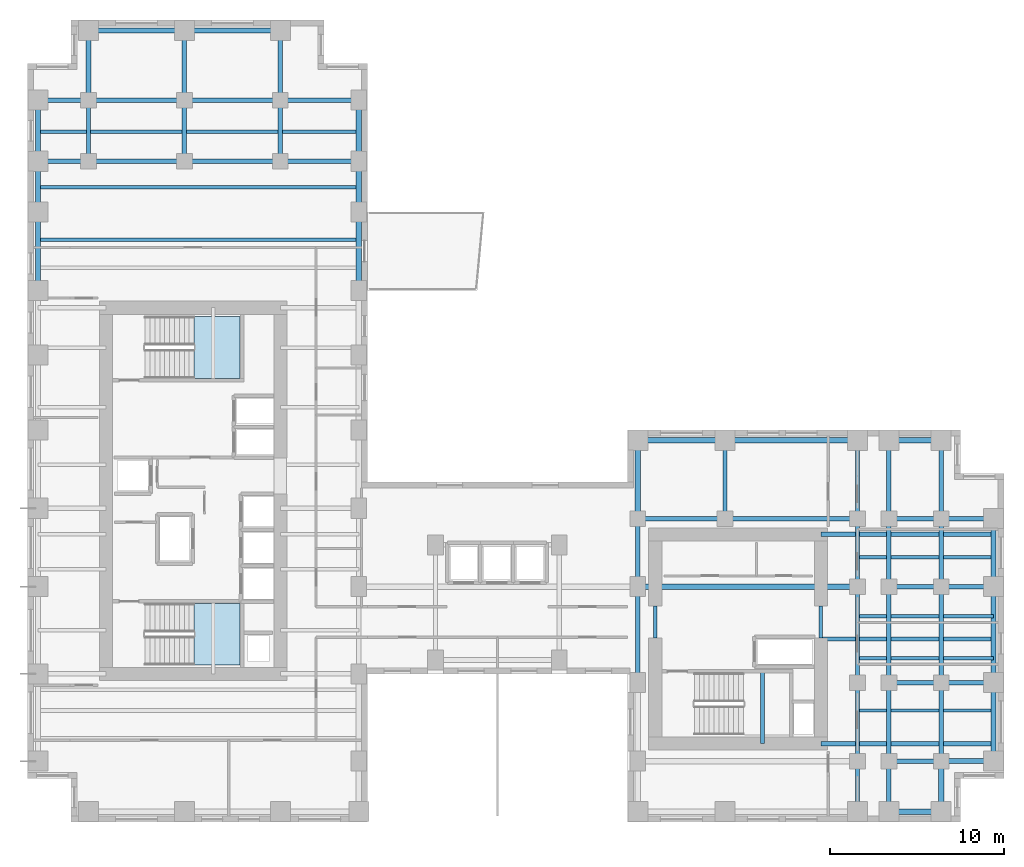
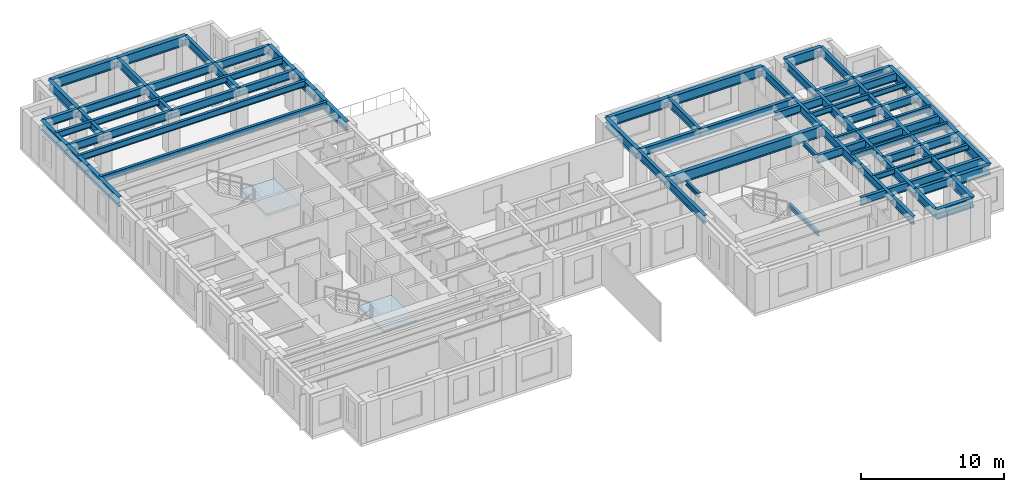
# One storey, part 2 of 11: 72 beams, 2 slabs, 2 elements without a shape of their own.
"""IFC4 building model written with IfcOpenShell, lengths in metres."""

from ifc_helpers import new_model, si_unit, direction, frame, origin, origin_2d, place, context, subcontext, project, spatial, polyline, i_section, outline, extrude, source, transform, mapped, material, layer, layer_set, material_profile, profile_set, type_object, element, aggregate, save


model = new_model("IFC4")

# Units and contexts
model_context = context("Model", 3, precision=1e-05, world=origin(), true_north=direction((0.0, 1.0)))
body_context = subcontext(model_context, "Body", "Model", "MODEL_VIEW")
ifc_project = project(units=[si_unit("LENGTHUNIT", "METRE"), si_unit("AREAUNIT", "SQUARE_METRE"), si_unit("VOLUMEUNIT", "CUBIC_METRE"), si_unit("PLANEANGLEUNIT", "RADIAN"), si_unit("MASSUNIT", "GRAM", prefix="KILO")], contexts=[model_context])

# Site, building, storey
site_placement = place(None, origin())
site = spatial("IfcSite", under=ifc_project, at=site_placement, CompositionType="ELEMENT")
building_placement = place(site_placement, origin())
building = spatial("IfcBuilding", under=site, at=building_placement, Name="Kharzan Plaza Tower", CompositionType="ELEMENT")
storey_placement = place(building_placement, frame((0.0, 0.0, 99.0)))
storey = spatial("IfcBuildingStorey", under=building, at=storey_placement, Name="L26", CompositionType="ELEMENT", Elevation=99.0)

# Beams
ifc_material_1 = material(Name="Steel S355", Category="steel")
ifc_material_profile_1 = material_profile(ifc_material_1, i_section(OverallWidth=0.205078125, OverallDepth=0.35400390625, WebThickness=0.009521484375, FlangeThickness=0.016845703125, at=origin_2d()), Name="W360x79")
ifc_profile_set_1 = profile_set([ifc_material_profile_1], Name="Steel S355")
beam_type_1 = type_object("IfcBeamType", Name="BM-LNT360", PredefinedType="LINTEL", material=ifc_profile_set_1)
shared_shape_1 = source(origin(), body_context, "Body", "SweptSolid", [
    extrude(i_section(OverallWidth=0.205078125, OverallDepth=0.35400390625, WebThickness=0.009521484375, FlangeThickness=0.016845703125, at=origin_2d()), origin(), (0.0, 0.0, 1.0), 1.849853515625),
])
for number, where, z_axis, x_axis, name in (
    (1, (45.5, 10.550048828125, 3.202880859375), (0.0, 1.0, 0.0), (-1.0, 0.0, 0.0), "L26 CORE-B coupling lintel LN1-WE"),
    (2, (36.0, 10.550048828125, 3.202880859375), (0.0, 1.0, 0.0), (-1.0, 0.0, 0.0), "L26 CORE-B coupling lintel LN1-WW"),
):
    element("IfcBeam", number, at=place(storey_placement, frame(where, z_axis=z_axis, x_axis=x_axis)), inside=storey, type_object=beam_type_1, Name=name, PredefinedType="LINTEL", context=body_context, shape_type="MappedRepresentation", body=[
        mapped(shared_shape_1, transform((0.0, 0.0, 0.0), x_axis=(1.0, 0.0, 0.0), y_axis=(0.0, 1.0, 0.0), z_axis=(0.0, 0.0, 1.0))),
    ])
shared_shape_2 = source(origin(), body_context, "Body", "SweptSolid", [
    extrude(i_section(OverallWidth=0.205078125, OverallDepth=0.35400390625, WebThickness=0.009521484375, FlangeThickness=0.016845703125, at=origin_2d()), origin(), (0.0, 0.0, 1.0), 4.155029296875),
])
beam_1_placement = place(storey_placement, frame((42.14990234375, 4.5, 1.423095703125), z_axis=(0.0, 1.0, 0.0), x_axis=(-1.0, 0.0, 0.0)))
element("IfcBeam", 3, at=beam_1_placement, inside=storey, type_object=beam_type_1, Name="L26 Stair ST-3 Half-Landing Beam", PredefinedType="LINTEL", context=body_context, shape_type="MappedRepresentation", body=[
    mapped(shared_shape_2, transform((0.0, 0.0, 0.0), x_axis=(1.0, 0.0, 0.0), y_axis=(0.0, 1.0, 0.0), z_axis=(0.0, 0.0, 1.0))),
])
ifc_material_profile_2 = material_profile(ifc_material_1, i_section(OverallWidth=0.304931640625, OverallDepth=0.9189453125, WebThickness=0.017333984375, FlangeThickness=0.02783203125, at=origin_2d()), Name="W920x253")
ifc_profile_set_2 = profile_set([ifc_material_profile_2], Name="Steel S355")
beam_type_2 = type_object("IfcBeamType", Name="BM-FG920B", PredefinedType="BEAM", material=ifc_profile_set_2)
shared_shape_3 = source(origin(), body_context, "Body", "SweptSolid", [
    extrude(i_section(OverallWidth=0.304931640625, OverallDepth=0.9189453125, WebThickness=0.017333984375, FlangeThickness=0.02783203125, at=origin_2d()), origin(), (0.0, 0.0, 1.0), 12.60009765625),
])
beam_2_placement = place(storey_placement, frame((35.0, 13.5, 2.92041015625), z_axis=(1.0, 0.0, 0.0), x_axis=(0.0, 1.0, 0.0)))
element("IfcBeam", 4, at=beam_2_placement, inside=storey, type_object=beam_type_2, Name="L26 Primary Floor Girder", PredefinedType="BEAM", context=body_context, shape_type="MappedRepresentation", body=[
    mapped(shared_shape_3, transform((0.0, 0.0, 0.0), x_axis=(1.0, 0.0, 0.0), y_axis=(0.0, 1.0, 0.0), z_axis=(0.0, 0.0, 1.0))),
])
ifc_material_profile_3 = material_profile(ifc_material_1, i_section(OverallWidth=0.2099609375, OverallDepth=0.537109375, WebThickness=0.010986328125, FlangeThickness=0.017333984375, at=origin_2d()), Name="W530x101")
ifc_profile_set_3 = profile_set([ifc_material_profile_3], Name="Steel S355")
beam_type_3 = type_object("IfcBeamType", Name="BM-JST530B", PredefinedType="JOIST", material=ifc_profile_set_3)
shared_shape_4 = source(origin(), body_context, "Body", "SweptSolid", [
    extrude(i_section(OverallWidth=0.2099609375, OverallDepth=0.537109375, WebThickness=0.010986328125, FlangeThickness=0.017333984375, at=origin_2d()), origin(), (0.0, 0.0, 1.0), 18.39990234375),
])
for number, where, z_axis, x_axis, name in (
    (5, (0.60009765625, 33.39990234375, 3.111572265625), (1.0, 0.0, 0.0), (0.0, 1.0, 0.0), "L26 Wing A Composite Joist 05"),
    (6, (0.60009765625, 36.39990234375, 3.111572265625), (1.0, 0.0, 0.0), (0.0, 1.0, 0.0), "L26 Wing A Composite Joist 06"),
    (7, (0.60009765625, 39.60009765625, 3.111572265625), (1.0, 0.0, 0.0), (0.0, 1.0, 0.0), "L26 Wing A Composite Joist 07"),
):
    element("IfcBeam", number, at=place(storey_placement, frame(where, z_axis=z_axis, x_axis=x_axis)), inside=storey, type_object=beam_type_3, Name=name, PredefinedType="JOIST", context=body_context, shape_type="MappedRepresentation", body=[
        mapped(shared_shape_4, transform((0.0, 0.0, 0.0), x_axis=(1.0, 0.0, 0.0), y_axis=(0.0, 1.0, 0.0), z_axis=(0.0, 0.0, 1.0))),
    ])
ifc_material_profile_4 = material_profile(ifc_material_1, i_section(OverallWidth=0.25390625, OverallDepth=0.68798828125, WebThickness=0.01318359375, FlangeThickness=0.02099609375, at=origin_2d()), Name="W690x152")
ifc_profile_set_4 = profile_set([ifc_material_profile_4], Name="Steel S355")
beam_type_4 = type_object("IfcBeamType", Name="BM-FG690B", PredefinedType="BEAM", material=ifc_profile_set_4)
shared_shape_5 = source(origin(), body_context, "Body", "SweptSolid", [
    extrude(i_section(OverallWidth=0.25390625, OverallDepth=0.68798828125, WebThickness=0.01318359375, FlangeThickness=0.02099609375, at=origin_2d()), origin(), (0.0, 0.0, 1.0), 4.5),
])
for number, where, z_axis, x_axis, name in (
    (8, (40.0, 17.39990234375, 3.035888671875), (0.0, 1.0, 0.0), (-1.0, 0.0, 0.0), "L26 Interior Frame Girder"),
    (9, (47.60009765625, 3.5, 3.035888671875), (0.0, 1.0, 0.0), (-1.0, 0.0, 0.0), "L26 Interior Frame Girder"),
    (10, (47.60009765625, 17.39990234375, 3.035888671875), (0.0, 1.0, 0.0), (-1.0, 0.0, 0.0), "L26 Interior Frame Girder"),
    (11, (49.39990234375, 3.5, 3.035888671875), (0.0, 1.0, 0.0), (-1.0, 0.0, 0.0), "L26 Interior Frame Girder"),
    (12, (49.39990234375, 17.39990234375, 3.035888671875), (0.0, 1.0, 0.0), (-1.0, 0.0, 0.0), "L26 Interior Frame Girder"),
    (13, (52.39990234375, 3.5, 3.035888671875), (0.0, 1.0, 0.0), (-1.0, 0.0, 0.0), "L26 Interior Frame Girder"),
    (14, (52.39990234375, 17.39990234375, 3.035888671875), (0.0, 1.0, 0.0), (-1.0, 0.0, 0.0), "L26 Interior Frame Girder"),
    (15, (14.5, 37.89990234375, 3.035888671875), (1.0, 0.0, 0.0), (0.0, 1.0, 0.0), "L26 Primary Floor Girder"),
    (16, (14.5, 41.39990234375, 3.035888671875), (1.0, 0.0, 0.0), (0.0, 1.0, 0.0), "L26 Primary Floor Girder"),
):
    element("IfcBeam", number, at=place(storey_placement, frame(where, z_axis=z_axis, x_axis=x_axis)), inside=storey, type_object=beam_type_4, Name=name, PredefinedType="BEAM", context=body_context, shape_type="MappedRepresentation", body=[
        mapped(shared_shape_5, transform((0.0, 0.0, 0.0), x_axis=(1.0, 0.0, 0.0), y_axis=(0.0, 1.0, 0.0), z_axis=(0.0, 0.0, 1.0))),
    ])
shared_shape_6 = source(origin(), body_context, "Body", "SweptSolid", [
    extrude(i_section(OverallWidth=0.25390625, OverallDepth=0.68798828125, WebThickness=0.01318359375, FlangeThickness=0.02099609375, at=origin_2d()), origin(), (0.0, 0.0, 1.0), 3.89990234375),
])
for number, where, z_axis, x_axis, name in (
    (17, (35.0, 13.5, 3.035888671875), (0.0, 1.0, 0.0), (-1.0, 0.0, 0.0), "L26 Interior Frame Girder"),
    (18, (47.60009765625, 13.5, 3.035888671875), (0.0, 1.0, 0.0), (-1.0, 0.0, 0.0), "L26 Interior Frame Girder"),
    (19, (49.39990234375, 13.5, 3.035888671875), (0.0, 1.0, 0.0), (-1.0, 0.0, 0.0), "L26 Interior Frame Girder"),
    (20, (52.39990234375, 13.5, 3.035888671875), (0.0, 1.0, 0.0), (-1.0, 0.0, 0.0), "L26 Interior Frame Girder"),
):
    element("IfcBeam", number, at=place(storey_placement, frame(where, z_axis=z_axis, x_axis=x_axis)), inside=storey, type_object=beam_type_4, Name=name, PredefinedType="BEAM", context=body_context, shape_type="MappedRepresentation", body=[
        mapped(shared_shape_6, transform((0.0, 0.0, 0.0), x_axis=(1.0, 0.0, 0.0), y_axis=(0.0, 1.0, 0.0), z_axis=(0.0, 0.0, 1.0))),
    ])
shared_shape_7 = source(origin(), body_context, "Body", "SweptSolid", [
    extrude(i_section(OverallWidth=0.25390625, OverallDepth=0.68798828125, WebThickness=0.01318359375, FlangeThickness=0.02099609375, at=origin_2d()), origin(), (0.0, 0.0, 1.0), 9.89990234375),
])
for number, where, z_axis, x_axis, name in (
    (21, (45.5, 4.5, 3.035888671875), (1.0, 0.0, 0.0), (0.0, 1.0, 0.0), "L26 Core-B East Floor Girder 1"),
    (22, (45.5, 10.5, 3.035888671875), (1.0, 0.0, 0.0), (0.0, 1.0, 0.0), "L26 Core-B East Floor Girder 2"),
    (23, (45.5, 16.5, 3.035888671875), (1.0, 0.0, 0.0), (0.0, 1.0, 0.0), "L26 Core-B East Floor Girder 3"),
):
    element("IfcBeam", number, at=place(storey_placement, frame(where, z_axis=z_axis, x_axis=x_axis)), inside=storey, type_object=beam_type_4, Name=name, PredefinedType="BEAM", context=body_context, shape_type="MappedRepresentation", body=[
        mapped(shared_shape_7, transform((0.0, 0.0, 0.0), x_axis=(1.0, 0.0, 0.0), y_axis=(0.0, 1.0, 0.0), z_axis=(0.0, 0.0, 1.0))),
    ])
shared_shape_8 = source(origin(), body_context, "Body", "SweptSolid", [
    extrude(i_section(OverallWidth=0.25390625, OverallDepth=0.68798828125, WebThickness=0.01318359375, FlangeThickness=0.02099609375, at=origin_2d()), origin(), (0.0, 0.0, 1.0), 3.5),
])
for number, where, z_axis, x_axis, name in (
    (24, (3.5, 37.89990234375, 3.035888671875), (0.0, 1.0, 0.0), (-1.0, 0.0, 0.0), "L26 Interior Frame Girder"),
    (25, (9.0, 37.89990234375, 3.035888671875), (0.0, 1.0, 0.0), (-1.0, 0.0, 0.0), "L26 Interior Frame Girder"),
    (26, (14.5, 37.89990234375, 3.035888671875), (0.0, 1.0, 0.0), (-1.0, 0.0, 0.0), "L26 Interior Frame Girder"),
):
    element("IfcBeam", number, at=place(storey_placement, frame(where, z_axis=z_axis, x_axis=x_axis)), inside=storey, type_object=beam_type_4, Name=name, PredefinedType="BEAM", context=body_context, shape_type="MappedRepresentation", body=[
        mapped(shared_shape_8, transform((0.0, 0.0, 0.0), x_axis=(1.0, 0.0, 0.0), y_axis=(0.0, 1.0, 0.0), z_axis=(0.0, 0.0, 1.0))),
    ])
shared_shape_9 = source(origin(), body_context, "Body", "SweptSolid", [
    extrude(i_section(OverallWidth=0.25390625, OverallDepth=0.68798828125, WebThickness=0.01318359375, FlangeThickness=0.02099609375, at=origin_2d()), origin(), (0.0, 0.0, 1.0), 4.0),
])
for number, where, z_axis, x_axis, name in (
    (27, (9.0, 41.39990234375, 3.035888671875), (0.0, 1.0, 0.0), (-1.0, 0.0, 0.0), "L26 Interior Frame Girder"),
    (28, (14.5, 41.39990234375, 3.035888671875), (0.0, 1.0, 0.0), (-1.0, 0.0, 0.0), "L26 Interior Frame Girder"),
):
    element("IfcBeam", number, at=place(storey_placement, frame(where, z_axis=z_axis, x_axis=x_axis)), inside=storey, type_object=beam_type_4, Name=name, PredefinedType="BEAM", context=body_context, shape_type="MappedRepresentation", body=[
        mapped(shared_shape_9, transform((0.0, 0.0, 0.0), x_axis=(1.0, 0.0, 0.0), y_axis=(0.0, 1.0, 0.0), z_axis=(0.0, 0.0, 1.0))),
    ])
shared_shape_10 = source(origin(), body_context, "Body", "SweptSolid", [
    extrude(i_section(OverallWidth=0.25390625, OverallDepth=0.68798828125, WebThickness=0.01318359375, FlangeThickness=0.02099609375, at=origin_2d()), origin(), (0.0, 0.0, 1.0), 5.0),
])
beam_3_placement = place(storey_placement, frame((35.0, 17.39990234375, 3.035888671875), z_axis=(1.0, 0.0, 0.0), x_axis=(0.0, 1.0, 0.0)))
element("IfcBeam", 29, at=beam_3_placement, inside=storey, type_object=beam_type_4, Name="L26 Primary Floor Girder", PredefinedType="BEAM", context=body_context, shape_type="MappedRepresentation", body=[
    mapped(shared_shape_10, transform((0.0, 0.0, 0.0), x_axis=(1.0, 0.0, 0.0), y_axis=(0.0, 1.0, 0.0), z_axis=(0.0, 0.0, 1.0))),
])
shared_shape_11 = source(origin(), body_context, "Body", "SweptSolid", [
    extrude(i_section(OverallWidth=0.25390625, OverallDepth=0.68798828125, WebThickness=0.01318359375, FlangeThickness=0.02099609375, at=origin_2d()), origin(), (0.0, 0.0, 1.0), 5.5),
])
for number, where, z_axis, x_axis, name in (
    (30, (35.0, 8.0, 3.035888671875), (0.0, 1.0, 0.0), (-1.0, 0.0, 0.0), "L26 Interior Frame Girder"),
    (31, (47.60009765625, 8.0, 3.035888671875), (0.0, 1.0, 0.0), (-1.0, 0.0, 0.0), "L26 Interior Frame Girder"),
    (32, (49.39990234375, 8.0, 3.035888671875), (0.0, 1.0, 0.0), (-1.0, 0.0, 0.0), "L26 Interior Frame Girder"),
    (33, (52.39990234375, 8.0, 3.035888671875), (0.0, 1.0, 0.0), (-1.0, 0.0, 0.0), "L26 Interior Frame Girder"),
    (34, (3.5, 37.89990234375, 3.035888671875), (1.0, 0.0, 0.0), (0.0, 1.0, 0.0), "L26 Primary Floor Girder"),
    (35, (9.0, 37.89990234375, 3.035888671875), (1.0, 0.0, 0.0), (0.0, 1.0, 0.0), "L26 Primary Floor Girder"),
    (36, (3.5, 41.39990234375, 3.035888671875), (1.0, 0.0, 0.0), (0.0, 1.0, 0.0), "L26 Primary Floor Girder"),
    (37, (9.0, 41.39990234375, 3.035888671875), (1.0, 0.0, 0.0), (0.0, 1.0, 0.0), "L26 Primary Floor Girder"),
):
    element("IfcBeam", number, at=place(storey_placement, frame(where, z_axis=z_axis, x_axis=x_axis)), inside=storey, type_object=beam_type_4, Name=name, PredefinedType="BEAM", context=body_context, shape_type="MappedRepresentation", body=[
        mapped(shared_shape_11, transform((0.0, 0.0, 0.0), x_axis=(1.0, 0.0, 0.0), y_axis=(0.0, 1.0, 0.0), z_axis=(0.0, 0.0, 1.0))),
    ])
shared_shape_12 = source(origin(), body_context, "Body", "SweptSolid", [
    extrude(i_section(OverallWidth=0.25390625, OverallDepth=0.68798828125, WebThickness=0.01318359375, FlangeThickness=0.02099609375, at=origin_2d()), origin(), (0.0, 0.0, 1.0), 2.89990234375),
])
for number, where, z_axis, x_axis, name in (
    (38, (47.60009765625, 0.60009765625, 3.035888671875), (0.0, 1.0, 0.0), (-1.0, 0.0, 0.0), "L26 Interior Frame Girder"),
    (39, (49.39990234375, 0.60009765625, 3.035888671875), (0.0, 1.0, 0.0), (-1.0, 0.0, 0.0), "L26 Interior Frame Girder"),
    (40, (0.60009765625, 37.89990234375, 3.035888671875), (1.0, 0.0, 0.0), (0.0, 1.0, 0.0), "L26 Primary Floor Girder"),
    (41, (0.60009765625, 41.39990234375, 3.035888671875), (1.0, 0.0, 0.0), (0.0, 1.0, 0.0), "L26 Primary Floor Girder"),
):
    element("IfcBeam", number, at=place(storey_placement, frame(where, z_axis=z_axis, x_axis=x_axis)), inside=storey, type_object=beam_type_4, Name=name, PredefinedType="BEAM", context=body_context, shape_type="MappedRepresentation", body=[
        mapped(shared_shape_12, transform((0.0, 0.0, 0.0), x_axis=(1.0, 0.0, 0.0), y_axis=(0.0, 1.0, 0.0), z_axis=(0.0, 0.0, 1.0))),
    ])
shared_shape_13 = source(origin(), body_context, "Body", "SweptSolid", [
    extrude(i_section(OverallWidth=0.25390625, OverallDepth=0.68798828125, WebThickness=0.01318359375, FlangeThickness=0.02099609375, at=origin_2d()), origin(), (0.0, 0.0, 1.0), 3.0),
])
for number, where, z_axis, x_axis, name in (
    (42, (49.39990234375, 3.5, 3.035888671875), (1.0, 0.0, 0.0), (0.0, 1.0, 0.0), "L26 Primary Floor Girder"),
    (43, (49.39990234375, 8.0, 3.035888671875), (1.0, 0.0, 0.0), (0.0, 1.0, 0.0), "L26 Primary Floor Girder"),
    (44, (52.39990234375, 8.0, 3.035888671875), (1.0, 0.0, 0.0), (0.0, 1.0, 0.0), "L26 Primary Floor Girder"),
    (45, (49.39990234375, 13.5, 3.035888671875), (1.0, 0.0, 0.0), (0.0, 1.0, 0.0), "L26 Primary Floor Girder"),
    (46, (52.39990234375, 13.5, 3.035888671875), (1.0, 0.0, 0.0), (0.0, 1.0, 0.0), "L26 Primary Floor Girder"),
    (47, (49.39990234375, 17.39990234375, 3.035888671875), (1.0, 0.0, 0.0), (0.0, 1.0, 0.0), "L26 Primary Floor Girder"),
    (48, (52.39990234375, 17.39990234375, 3.035888671875), (1.0, 0.0, 0.0), (0.0, 1.0, 0.0), "L26 Primary Floor Girder"),
):
    element("IfcBeam", number, at=place(storey_placement, frame(where, z_axis=z_axis, x_axis=x_axis)), inside=storey, type_object=beam_type_4, Name=name, PredefinedType="BEAM", context=body_context, shape_type="MappedRepresentation", body=[
        mapped(shared_shape_13, transform((0.0, 0.0, 0.0), x_axis=(1.0, 0.0, 0.0), y_axis=(0.0, 1.0, 0.0), z_axis=(0.0, 0.0, 1.0))),
    ])
shared_shape_14 = source(origin(), body_context, "Body", "SweptSolid", [
    extrude(i_section(OverallWidth=0.25390625, OverallDepth=0.68798828125, WebThickness=0.01318359375, FlangeThickness=0.02099609375, at=origin_2d()), origin(), (0.0, 0.0, 1.0), 7.60009765625),
])
beam_4_placement = place(storey_placement, frame((40.0, 17.39990234375, 3.035888671875), z_axis=(1.0, 0.0, 0.0), x_axis=(0.0, 1.0, 0.0)))
element("IfcBeam", 49, at=beam_4_placement, inside=storey, type_object=beam_type_4, Name="L26 Primary Floor Girder", PredefinedType="BEAM", context=body_context, shape_type="MappedRepresentation", body=[
    mapped(shared_shape_14, transform((0.0, 0.0, 0.0), x_axis=(1.0, 0.0, 0.0), y_axis=(0.0, 1.0, 0.0), z_axis=(0.0, 0.0, 1.0))),
])
ifc_material_profile_5 = material_profile(ifc_material_1, i_section(OverallWidth=0.194091796875, OverallDepth=0.468994140625, WebThickness=0.011474609375, FlangeThickness=0.0205078125, at=origin_2d()), Name="W460x106")
ifc_profile_set_5 = profile_set([ifc_material_profile_5], Name="Steel S355")
beam_type_5 = type_object("IfcBeamType", Name="BM-JST460", PredefinedType="JOIST", material=ifc_profile_set_5)
shared_shape_15 = source(origin(), body_context, "Body", "SweptSolid", [
    extrude(i_section(OverallWidth=0.194091796875, OverallDepth=0.468994140625, WebThickness=0.011474609375, FlangeThickness=0.0205078125, at=origin_2d()), origin(), (0.0, 0.0, 1.0), 7.7998046875),
])
for number, where, z_axis, x_axis, name in (
    (50, (47.60009765625, 6.39990234375, 3.1455078125), (1.0, 0.0, 0.0), (0.0, 1.0, 0.0), "L26 Wing B Composite Joist 02"),
    (51, (47.60009765625, 9.39990234375, 3.1455078125), (1.0, 0.0, 0.0), (0.0, 1.0, 0.0), "L26 Wing B Composite Joist 03"),
    (52, (47.60009765625, 11.800048828125, 3.1455078125), (1.0, 0.0, 0.0), (0.0, 1.0, 0.0), "L26 Wing B Composite Joist 04"),
    (53, (47.60009765625, 15.199951171875, 3.1455078125), (1.0, 0.0, 0.0), (0.0, 1.0, 0.0), "L26 Wing B Composite Joist 05"),
):
    element("IfcBeam", number, at=place(storey_placement, frame(where, z_axis=z_axis, x_axis=x_axis)), inside=storey, type_object=beam_type_5, Name=name, PredefinedType="JOIST", context=body_context, shape_type="MappedRepresentation", body=[
        mapped(shared_shape_15, transform((0.0, 0.0, 0.0), x_axis=(1.0, 0.0, 0.0), y_axis=(0.0, 1.0, 0.0), z_axis=(0.0, 0.0, 1.0))),
    ])
ifc_material_profile_6 = material_profile(ifc_material_1, i_section(OverallWidth=0.299072265625, OverallDepth=0.845947265625, WebThickness=0.015380859375, FlangeThickness=0.0244140625, at=origin_2d()), Name="W840x210")
ifc_profile_set_6 = profile_set([ifc_material_profile_6], Name="Steel S355")
beam_type_6 = type_object("IfcBeamType", Name="BM-SP840B", PredefinedType="SPANDREL", material=ifc_profile_set_6)
shared_shape_16 = source(origin(), body_context, "Body", "SweptSolid", [
    extrude(i_section(OverallWidth=0.299072265625, OverallDepth=0.845947265625, WebThickness=0.015380859375, FlangeThickness=0.0244140625, at=origin_2d()), origin(), (0.0, 0.0, 1.0), 5.0),
])
beam_5_placement = place(storey_placement, frame((35.0, 21.89990234375, 2.95703125), z_axis=(1.0, 0.0, 0.0), x_axis=(0.0, 1.0, 0.0)))
element("IfcBeam", 54, at=beam_5_placement, inside=storey, type_object=beam_type_6, Name="L26 Perimeter Tube Spandrel", PredefinedType="SPANDREL", context=body_context, shape_type="MappedRepresentation", body=[
    mapped(shared_shape_16, transform((0.0, 0.0, 0.0), x_axis=(1.0, 0.0, 0.0), y_axis=(0.0, 1.0, 0.0), z_axis=(0.0, 0.0, 1.0))),
])
shared_shape_17 = source(origin(), body_context, "Body", "SweptSolid", [
    extrude(i_section(OverallWidth=0.299072265625, OverallDepth=0.845947265625, WebThickness=0.015380859375, FlangeThickness=0.0244140625, at=origin_2d()), origin(), (0.0, 0.0, 1.0), 4.5),
])
for number, where, z_axis, x_axis, name in (
    (55, (0.60009765625, 30.5, 2.95703125), (0.0, 1.0, 0.0), (-1.0, 0.0, 0.0), "L26 Perimeter Tube Spandrel"),
    (56, (19.0, 30.5, 2.95703125), (0.0, 1.0, 0.0), (-1.0, 0.0, 0.0), "L26 Perimeter Tube Spandrel"),
    (57, (35.0, 17.39990234375, 2.95703125), (0.0, 1.0, 0.0), (-1.0, 0.0, 0.0), "L26 Perimeter Tube Spandrel"),
    (58, (55.39990234375, 3.5, 2.95703125), (0.0, 1.0, 0.0), (-1.0, 0.0, 0.0), "L26 Perimeter Tube Spandrel"),
):
    element("IfcBeam", number, at=place(storey_placement, frame(where, z_axis=z_axis, x_axis=x_axis)), inside=storey, type_object=beam_type_6, Name=name, PredefinedType="SPANDREL", context=body_context, shape_type="MappedRepresentation", body=[
        mapped(shared_shape_17, transform((0.0, 0.0, 0.0), x_axis=(1.0, 0.0, 0.0), y_axis=(0.0, 1.0, 0.0), z_axis=(0.0, 0.0, 1.0))),
    ])
shared_shape_18 = source(origin(), body_context, "Body", "SweptSolid", [
    extrude(i_section(OverallWidth=0.299072265625, OverallDepth=0.845947265625, WebThickness=0.015380859375, FlangeThickness=0.0244140625, at=origin_2d()), origin(), (0.0, 0.0, 1.0), 2.89990234375),
])
for number, where, z_axis, x_axis, name in (
    (59, (0.60009765625, 35.0, 2.95703125), (0.0, 1.0, 0.0), (-1.0, 0.0, 0.0), "L26 Perimeter Tube Spandrel"),
    (60, (19.0, 35.0, 2.95703125), (0.0, 1.0, 0.0), (-1.0, 0.0, 0.0), "L26 Perimeter Tube Spandrel"),
    (61, (52.39990234375, 0.60009765625, 2.95703125), (0.0, 1.0, 0.0), (-1.0, 0.0, 0.0), "L26 Perimeter Tube Spandrel"),
):
    element("IfcBeam", number, at=place(storey_placement, frame(where, z_axis=z_axis, x_axis=x_axis)), inside=storey, type_object=beam_type_6, Name=name, PredefinedType="SPANDREL", context=body_context, shape_type="MappedRepresentation", body=[
        mapped(shared_shape_18, transform((0.0, 0.0, 0.0), x_axis=(1.0, 0.0, 0.0), y_axis=(0.0, 1.0, 0.0), z_axis=(0.0, 0.0, 1.0))),
    ])
shared_shape_19 = source(origin(), body_context, "Body", "SweptSolid", [
    extrude(i_section(OverallWidth=0.299072265625, OverallDepth=0.845947265625, WebThickness=0.015380859375, FlangeThickness=0.0244140625, at=origin_2d()), origin(), (0.0, 0.0, 1.0), 3.5),
])
for number, where, z_axis, x_axis, name in (
    (62, (0.60009765625, 37.89990234375, 2.95703125), (0.0, 1.0, 0.0), (-1.0, 0.0, 0.0), "L26 Perimeter Tube Spandrel"),
    (63, (19.0, 37.89990234375, 2.95703125), (0.0, 1.0, 0.0), (-1.0, 0.0, 0.0), "L26 Perimeter Tube Spandrel"),
):
    element("IfcBeam", number, at=place(storey_placement, frame(where, z_axis=z_axis, x_axis=x_axis)), inside=storey, type_object=beam_type_6, Name=name, PredefinedType="SPANDREL", context=body_context, shape_type="MappedRepresentation", body=[
        mapped(shared_shape_19, transform((0.0, 0.0, 0.0), x_axis=(1.0, 0.0, 0.0), y_axis=(0.0, 1.0, 0.0), z_axis=(0.0, 0.0, 1.0))),
    ])
shared_shape_20 = source(origin(), body_context, "Body", "SweptSolid", [
    extrude(i_section(OverallWidth=0.299072265625, OverallDepth=0.845947265625, WebThickness=0.015380859375, FlangeThickness=0.0244140625, at=origin_2d()), origin(), (0.0, 0.0, 1.0), 4.0),
])
beam_6_placement = place(storey_placement, frame((3.5, 41.39990234375, 2.95703125), z_axis=(0.0, 1.0, 0.0), x_axis=(-1.0, 0.0, 0.0)))
element("IfcBeam", 64, at=beam_6_placement, inside=storey, type_object=beam_type_6, Name="L26 Perimeter Tube Spandrel", PredefinedType="SPANDREL", context=body_context, shape_type="MappedRepresentation", body=[
    mapped(shared_shape_20, transform((0.0, 0.0, 0.0), x_axis=(1.0, 0.0, 0.0), y_axis=(0.0, 1.0, 0.0), z_axis=(0.0, 0.0, 1.0))),
])
shared_shape_21 = source(origin(), body_context, "Body", "SweptSolid", [
    extrude(i_section(OverallWidth=0.299072265625, OverallDepth=0.845947265625, WebThickness=0.015380859375, FlangeThickness=0.0244140625, at=origin_2d()), origin(), (0.0, 0.0, 1.0), 5.5),
])
for number, where, z_axis, x_axis, name in (
    (65, (55.39990234375, 8.0, 2.95703125), (0.0, 1.0, 0.0), (-1.0, 0.0, 0.0), "L26 Perimeter Tube Spandrel"),
    (66, (3.5, 45.39990234375, 2.95703125), (1.0, 0.0, 0.0), (0.0, 1.0, 0.0), "L26 Perimeter Tube Spandrel"),
    (67, (9.0, 45.39990234375, 2.95703125), (1.0, 0.0, 0.0), (0.0, 1.0, 0.0), "L26 Perimeter Tube Spandrel"),
):
    element("IfcBeam", number, at=place(storey_placement, frame(where, z_axis=z_axis, x_axis=x_axis)), inside=storey, type_object=beam_type_6, Name=name, PredefinedType="SPANDREL", context=body_context, shape_type="MappedRepresentation", body=[
        mapped(shared_shape_21, transform((0.0, 0.0, 0.0), x_axis=(1.0, 0.0, 0.0), y_axis=(0.0, 1.0, 0.0), z_axis=(0.0, 0.0, 1.0))),
    ])
shared_shape_22 = source(origin(), body_context, "Body", "SweptSolid", [
    extrude(i_section(OverallWidth=0.299072265625, OverallDepth=0.845947265625, WebThickness=0.015380859375, FlangeThickness=0.0244140625, at=origin_2d()), origin(), (0.0, 0.0, 1.0), 3.89990234375),
])
beam_7_placement = place(storey_placement, frame((55.39990234375, 13.5, 2.95703125), z_axis=(0.0, 1.0, 0.0), x_axis=(-1.0, 0.0, 0.0)))
element("IfcBeam", 68, at=beam_7_placement, inside=storey, type_object=beam_type_6, Name="L26 Perimeter Tube Spandrel", PredefinedType="SPANDREL", context=body_context, shape_type="MappedRepresentation", body=[
    mapped(shared_shape_22, transform((0.0, 0.0, 0.0), x_axis=(1.0, 0.0, 0.0), y_axis=(0.0, 1.0, 0.0), z_axis=(0.0, 0.0, 1.0))),
])
shared_shape_23 = source(origin(), body_context, "Body", "SweptSolid", [
    extrude(i_section(OverallWidth=0.299072265625, OverallDepth=0.845947265625, WebThickness=0.015380859375, FlangeThickness=0.0244140625, at=origin_2d()), origin(), (0.0, 0.0, 1.0), 7.60009765625),
])
beam_8_placement = place(storey_placement, frame((40.0, 21.89990234375, 2.95703125), z_axis=(1.0, 0.0, 0.0), x_axis=(0.0, 1.0, 0.0)))
element("IfcBeam", 69, at=beam_8_placement, inside=storey, type_object=beam_type_6, Name="L26 Perimeter Tube Spandrel", PredefinedType="SPANDREL", context=body_context, shape_type="MappedRepresentation", body=[
    mapped(shared_shape_23, transform((0.0, 0.0, 0.0), x_axis=(1.0, 0.0, 0.0), y_axis=(0.0, 1.0, 0.0), z_axis=(0.0, 0.0, 1.0))),
])
shared_shape_24 = source(origin(), body_context, "Body", "SweptSolid", [
    extrude(i_section(OverallWidth=0.299072265625, OverallDepth=0.845947265625, WebThickness=0.015380859375, FlangeThickness=0.0244140625, at=origin_2d()), origin(), (0.0, 0.0, 1.0), 3.0),
])
for number, where, z_axis, x_axis, name in (
    (70, (49.39990234375, 0.60009765625, 2.95703125), (1.0, 0.0, 0.0), (0.0, 1.0, 0.0), "L26 Perimeter Tube Spandrel"),
    (71, (52.39990234375, 3.5, 2.95703125), (1.0, 0.0, 0.0), (0.0, 1.0, 0.0), "L26 Perimeter Tube Spandrel"),
    (72, (49.39990234375, 21.89990234375, 2.95703125), (1.0, 0.0, 0.0), (0.0, 1.0, 0.0), "L26 Perimeter Tube Spandrel"),
):
    element("IfcBeam", number, at=place(storey_placement, frame(where, z_axis=z_axis, x_axis=x_axis)), inside=storey, type_object=beam_type_6, Name=name, PredefinedType="SPANDREL", context=body_context, shape_type="MappedRepresentation", body=[
        mapped(shared_shape_24, transform((0.0, 0.0, 0.0), x_axis=(1.0, 0.0, 0.0), y_axis=(0.0, 1.0, 0.0), z_axis=(0.0, 0.0, 1.0))),
    ])

# Stair, slab
ifc_material_2 = material(Name="Concrete C40/50", Category="concrete")
stair_type_1 = type_object("IfcStairType", Name="STR-ST-1", PredefinedType="HALF_TURN_STAIR", material=ifc_material_2)
stair_1_placement = place(storey_placement, origin())
stair_1 = element("IfcStair", 73, at=stair_1_placement, inside=storey, type_object=stair_type_1, Name="L26 Protected Exit Stair ST-1", PredefinedType="HALF_TURN_STAIR")
ifc_layer = layer(ifc_material_2, 0.219970703125)
ifc_layer_set = layer_set([ifc_layer], Name="Concrete C40/50")
slab_type = type_object("IfcSlabType", Name="SL-LANDING-220", PredefinedType="LANDING", material=ifc_layer_set)
slab_1_placement = place(storey_placement, frame((0.0, 0.0, 1.60009765625)))
slab_1 = element("IfcSlab", 74, at=slab_1_placement, type_object=slab_type, Name="ST-1 landing 1", PredefinedType="LANDING", context=body_context, shape_type="SweptSolid", body=[
    extrude(outline(polyline([(9.550048828125, 9.0), (12.199951171875, 9.0), (12.199951171875, 12.550048828125), (9.550048828125, 12.550048828125), (9.550048828125, 9.0)])), origin(), (0.0, 0.0, 1.0), 0.199951171875),
])
aggregate(stair_1, [slab_1])

stair_type_2 = type_object("IfcStairType", Name="STR-ST-2", PredefinedType="HALF_TURN_STAIR", material=ifc_material_2)
stair_2_placement = place(storey_placement, origin())
stair_2 = element("IfcStair", 75, at=stair_2_placement, inside=storey, type_object=stair_type_2, Name="L26 Protected Exit Stair ST-2", PredefinedType="HALF_TURN_STAIR")
slab_2_placement = place(storey_placement, frame((0.0, 0.0, 1.60009765625)))
slab_2 = element("IfcSlab", 76, at=slab_2_placement, type_object=slab_type, Name="ST-2 landing 1", PredefinedType="LANDING", context=body_context, shape_type="SweptSolid", body=[
    extrude(outline(polyline([(9.550048828125, 25.449951171875), (12.199951171875, 25.449951171875), (12.199951171875, 29.0), (9.550048828125, 29.0), (9.550048828125, 25.449951171875)])), origin(), (0.0, 0.0, 1.0), 0.199951171875),
])
aggregate(stair_2, [slab_2])

save(model, "model.ifc")
